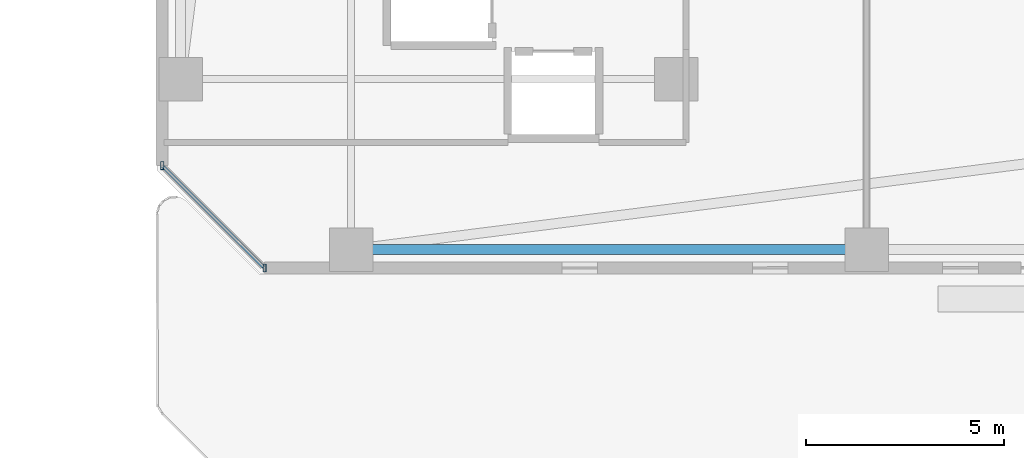
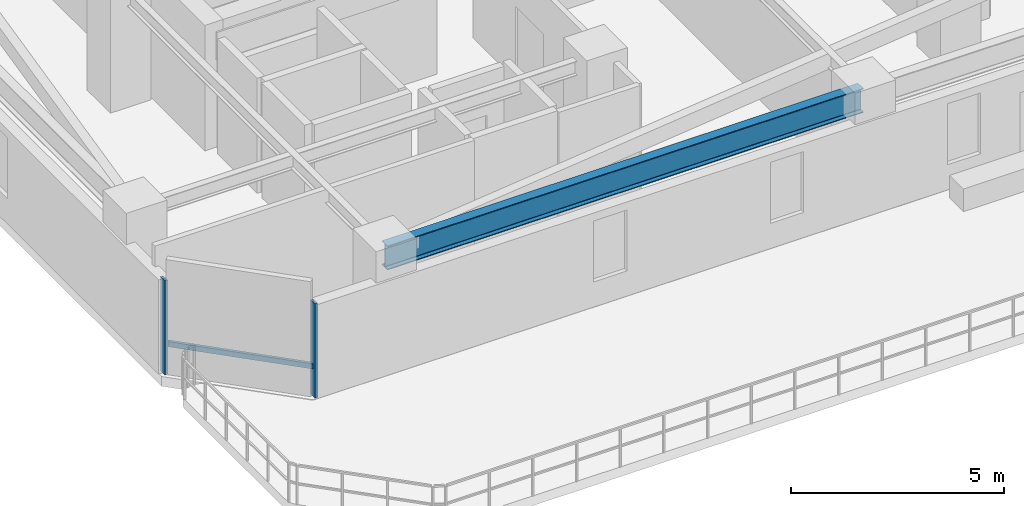
# One storey, part 10 of 30: 3 members, 1 beam, 1 element without a shape of its own.
"""IFC4 building model written with IfcOpenShell, lengths in metres."""

import ifcopenshell
import ifcopenshell.guid

model = None  # the IFC model being written
_history = None  # IfcOwnerHistory: only IFC2X3 demands one
_inside = {}  # id of a spatial element -> (the spatial element, [elements in it])
_under = {}  # id of a project, library or spatial element -> (it, [spatial elements below it])
_declared = {}  # id of a project -> (the project, [libraries it declares])
_typed = {}  # id of a type object -> (the type object, [elements of that type])
_made_of = {}  # id of a material, layer set ... -> (it, [elements and type objects made of it])


def new_model(schema):
    """Start an empty IFC model of exactly this schema.

    Asked for "IFC4X3", IfcOpenShell would pick the latest addendum, in which some entities
    have other attributes; the version numbers below select the first issue.
    IFC2X3 requires an IfcOwnerHistory on every rooted entity: one is made here for all.
    """
    global model, _history
    if schema == "IFC4X3":
        model = ifcopenshell.file(schema_version=(4, 3, 0, 0))
    else:
        model = ifcopenshell.file(schema=schema)
    _inside.clear()
    _under.clear()
    _declared.clear()
    _typed.clear()
    _made_of.clear()
    _history = None
    if model.schema == "IFC2X3":
        org = make("IfcOrganization", Name="unknown")
        user = make(
            "IfcPersonAndOrganization",
            ThePerson=make("IfcPerson", FamilyName="unknown"),
            TheOrganization=org,
        )
        app = make(
            "IfcApplication",
            ApplicationDeveloper=org,
            Version="unknown",
            ApplicationFullName="unknown",
            ApplicationIdentifier="unknown",
        )
        _history = make(
            "IfcOwnerHistory",
            OwningUser=user,
            OwningApplication=app,
            ChangeAction="ADDED",
            CreationDate=0,
        )
    return model


def make(cls, **values):
    """One entity of the class cls with the attributes given. An attribute that is None is left unset."""
    return model.create_entity(
        cls, **{name: value for name, value in values.items() if value is not None}
    )


def rooted(cls, **values):
    """An entity with a GlobalId (a new one), such as an element, a storey or a relation."""
    return make(cls, GlobalId=ifcopenshell.guid.new(), OwnerHistory=_history, **values)


def si_unit(unit_type, name, prefix=None):
    """IfcSIUnit, for example si_unit("LENGTHUNIT", "METRE", prefix="MILLI")."""
    return make("IfcSIUnit", UnitType=unit_type, Prefix=prefix, Name=name)


def assignment(units):
    """IfcUnitAssignment: the units of a project."""
    return None if units is None else make("IfcUnitAssignment", Units=units)


def point(xyz):
    """IfcCartesianPoint."""
    return None if xyz is None else make("IfcCartesianPoint", Coordinates=xyz)


def direction(xyz):
    """IfcDirection."""
    return None if xyz is None else make("IfcDirection", DirectionRatios=xyz)


def frame(location, z_axis=None, x_axis=None):
    """IfcAxis2Placement3D, a coordinate frame: its origin and axes. An axis left out is left unset."""
    return make(
        "IfcAxis2Placement3D",
        Location=point(location),
        Axis=direction(z_axis),
        RefDirection=direction(x_axis),
    )


def frame_2d(location, x_axis=None):
    """IfcAxis2Placement2D, a coordinate frame in the plane: its origin and x axis."""
    return make(
        "IfcAxis2Placement2D", Location=point(location), RefDirection=direction(x_axis)
    )


def origin():
    """The frame at (0, 0, 0) with its axes left unset."""
    return frame((0.0, 0.0, 0.0))


def origin_2d():
    """The frame at (0, 0) in the plane with its x axis left unset."""
    return frame_2d((0.0, 0.0))


def place(relative_to, where):
    """IfcLocalPlacement: puts the frame where relative to a parent placement (None: the world)."""
    return make(
        "IfcLocalPlacement", PlacementRelTo=relative_to, RelativePlacement=where
    )


def context(
    kind, dimensions, precision=None, world=None, true_north=None, identifier=None
):
    """IfcGeometricRepresentationContext, for example the 3D "Model" context."""
    return make(
        "IfcGeometricRepresentationContext",
        ContextIdentifier=identifier,
        ContextType=kind,
        CoordinateSpaceDimension=dimensions,
        Precision=precision,
        WorldCoordinateSystem=world,
        TrueNorth=true_north,
    )


def subcontext(parent, identifier, kind, view, scale=None):
    """IfcGeometricRepresentationSubContext, for example "Body" below "Model"."""
    return make(
        "IfcGeometricRepresentationSubContext",
        ContextIdentifier=identifier,
        ContextType=kind,
        ParentContext=parent,
        TargetScale=scale,
        TargetView=view,
    )


def project(units=None, contexts=None):
    """IfcProject with its units and contexts."""
    return rooted(
        "IfcProject",
        Name="project",
        RepresentationContexts=contexts,
        UnitsInContext=assignment(units),
    )


def spatial(cls, under=None, at=None, **own):
    """A site, building, storey or space (cls), placed at a placement, below another one or the project."""
    s = rooted(cls, ObjectPlacement=at, **own)
    if under is not None:
        _under.setdefault(under.id(), (under, []))[1].append(s)
    return s


def profile(cls, at=None, kind="AREA", **sizes):
    """A parametric profile (cls). Its sizes go by their IFC names, for example OverallWidth=200.0."""
    return make(cls, ProfileType=kind, Position=at, **sizes)


def hollow_rectangle(**sizes):
    """IfcRectangleHollowProfileDef."""
    return profile("IfcRectangleHollowProfileDef", **sizes)


def i_section(**sizes):
    """IfcIShapeProfileDef."""
    return profile("IfcIShapeProfileDef", **sizes)


def extrude(swept, where, along, depth):
    """IfcExtrudedAreaSolid: the profile swept, set in the frame where, extruded along a direction by depth."""
    return make(
        "IfcExtrudedAreaSolid",
        SweptArea=swept,
        Position=where,
        ExtrudedDirection=direction(along),
        Depth=depth,
    )


def shape(context_of_items, identifier, shape_type, items):
    """IfcShapeRepresentation: the items that make up one representation, for example the "Body"."""
    return make(
        "IfcShapeRepresentation",
        ContextOfItems=context_of_items,
        RepresentationIdentifier=identifier,
        RepresentationType=shape_type,
        Items=items,
    )


def material(Name=None, Category=None):
    """IfcMaterial."""
    return make("IfcMaterial", Name=Name, Category=Category)


def material_profile(
    of_material, cross_section, Name=None, Category=None, Priority=None
):
    """IfcMaterialProfile: a cross section and its material."""
    return make(
        "IfcMaterialProfile",
        Name=Name,
        Material=of_material,
        Profile=cross_section,
        Priority=Priority,
        Category=Category,
    )


def profile_set(profiles, Name=None, composite=None):
    """IfcMaterialProfileSet."""
    return make(
        "IfcMaterialProfileSet",
        Name=Name,
        MaterialProfiles=profiles,
        CompositeProfile=composite,
    )


def made_of(thing, what):
    """Note that an element or type object is made of a material, layer set ...; save() writes the relation."""
    if what is not None:
        _made_of.setdefault(what.id(), (what, []))[1].append(thing)
    return thing


def type_object(cls, material=None, **own):
    """A type object (cls), such as IfcWallType, which elements share."""
    return made_of(rooted(cls, **own), material)


def element(
    cls,
    number,
    at=None,
    inside=None,
    cuts=None,
    type_object=None,
    material=None,
    context=None,
    identifier="Body",
    shape_type=None,
    held_by="IfcProductDefinitionShape",
    body=None,
    shapes=None,
    **own,
):
    """One element of the class cls, such as IfcWall. Its Tag is "e" and its number.

    at: its placement. inside: the storey or other place that contains it. cuts: it is an
    opening in that element (IfcRelVoidsElement). A single representation is given by context,
    identifier, shape_type and body (its items); several are given by shapes. held_by: the class
    of the entity that holds the representations. save() writes the other relations.
    """
    e = rooted(cls, Tag="e%d" % number, ObjectPlacement=at, **own)
    if body is not None:
        shapes = [shape(context, identifier, shape_type, body)]
    if shapes is not None:
        e.Representation = make(held_by, Representations=shapes)
    if inside is not None:
        _inside.setdefault(inside.id(), (inside, []))[1].append(e)
    if cuts is not None:
        rooted(
            "IfcRelVoidsElement", RelatingBuildingElement=cuts, RelatedOpeningElement=e
        )
    if type_object is not None:
        _typed.setdefault(type_object.id(), (type_object, []))[1].append(e)
    return made_of(e, material)


def aggregate(whole, parts):
    """IfcRelAggregates: a whole, such as a stair, and the parts it consists of."""
    return rooted("IfcRelAggregates", RelatingObject=whole, RelatedObjects=parts)


def save(model, path):
    """Write the relations noted so far, then the file.

    IfcRelAggregates (storeys below a building ...), IfcRelContainedInSpatialStructure (elements
    in a storey), IfcRelDefinesByType, IfcRelAssociatesMaterial and IfcRelDeclares: one each for
    every whole, place, type object, material and project.
    """
    for whole, parts in _under.values():
        aggregate(whole, parts)
    for where, things in _inside.values():
        rooted(
            "IfcRelContainedInSpatialStructure",
            RelatedElements=things,
            RelatingStructure=where,
        )
    for kind, things in _typed.values():
        rooted("IfcRelDefinesByType", RelatedObjects=things, RelatingType=kind)
    for what, things in _made_of.values():
        rooted("IfcRelAssociatesMaterial", RelatedObjects=things, RelatingMaterial=what)
    for by, libraries in _declared.values():
        rooted("IfcRelDeclares", RelatingContext=by, RelatedDefinitions=libraries)
    model.write(path)


model = new_model("IFC4")

# Units and contexts
model_context = context("Model", 3, precision=1e-05, world=origin(), true_north=direction((0.0, 1.0)))
body_context = subcontext(model_context, "Body", "Model", "MODEL_VIEW")
ifc_project = project(units=[si_unit("LENGTHUNIT", "METRE"), si_unit("AREAUNIT", "SQUARE_METRE"), si_unit("VOLUMEUNIT", "CUBIC_METRE"), si_unit("PLANEANGLEUNIT", "RADIAN"), si_unit("MASSUNIT", "GRAM", prefix="KILO")], contexts=[model_context])

# Site, building, storey
site_placement = place(None, origin())
site = spatial("IfcSite", under=ifc_project, at=site_placement, CompositionType="ELEMENT")
building_placement = place(site_placement, origin())
building = spatial("IfcBuilding", under=site, at=building_placement, Name="Thornwick Lancets Civic Towers", CompositionType="ELEMENT")
storey_placement = place(building_placement, frame((0.0, 0.0, 149.10009765625)))
storey = spatial("IfcBuildingStorey", under=building, at=storey_placement, Name="L39", CompositionType="ELEMENT", Elevation=149.10009765625)

# Beam
ifc_material_1 = material(Name="Steel S355JR", Category="steel")
ifc_material_profile_1 = material_profile(ifc_material_1, i_section(OverallWidth=0.255859375, OverallDepth=0.69287109375, WebThickness=0.014404296875, FlangeThickness=0.023681640625, FilletRadius=0.01513671875, at=origin_2d()), Name="UKB 686x254x170")
ifc_profile_set_1 = profile_set([ifc_material_profile_1], Name="Steel S355JR")
beam_type = type_object("IfcBeamType", Name="BM_GIRD_686_170", PredefinedType="BEAM", material=ifc_profile_set_1)
beam_placement = place(storey_placement, frame((88.419921875, 9.699951171875, 2.973388671875), z_axis=(-1.0, 0.0, 0.0), x_axis=(0.0, -1.0, 0.0)))
element("IfcBeam", 1, at=beam_placement, inside=storey, type_object=beam_type, Name="BM-SPINE-L39-B-10-11", PredefinedType="BEAM", context=body_context, shape_type="SweptSolid", body=[
    extrude(i_section(OverallWidth=0.255859375, OverallDepth=0.69287109375, WebThickness=0.014404296875, FlangeThickness=0.023681640625, FilletRadius=0.01513671875, at=origin_2d()), origin(), (0.0, 0.0, 1.0), 12.919921875),
])

# Curtain wall, members
ifc_material_2 = material(Name="Mid-zone chamfered-corner unitised glass curtain wall", Category="glass")
curtain_wall_type = type_object("IfcCurtainWallType", Name="CW_SYS_04", PredefinedType="NOTDEFINED", material=ifc_material_2)
curtain_wall_placement = place(storey_placement, origin())
curtain_wall = element("IfcCurtainWall", 2, at=curtain_wall_placement, inside=storey, type_object=curtain_wall_type, Name="L39 Curtain Wall CW-L39-B-E7", PredefinedType="NOTDEFINED")
ifc_material_3 = material(Name="Thermally broken bronze aluminium S355", Category="steel")
ifc_material_profile_2 = material_profile(ifc_material_3, hollow_rectangle(XDim=0.080078125, YDim=0.199951171875, WallThickness=0.006103515625, at=origin_2d()), Name="RHS 200x80x6")
ifc_profile_set_2 = profile_set([ifc_material_profile_2], Name="Thermally broken bronze aluminium S355")
member_type_1 = type_object("IfcMemberType", Name="CW_MUL_200", PredefinedType="MULLION", material=ifc_profile_set_2)
member_1_placement = place(storey_placement, frame((70.7353515625, 11.818603515625, 0.0), z_axis=(0.0, 0.0, 1.0), x_axis=(1.0, 0.0, 0.0)))
member_1 = element("IfcMember", 3, at=member_1_placement, type_object=member_type_1, Name="CW-L39-B-E7 Mullion 0", PredefinedType="MULLION", context=body_context, shape_type="SweptSolid", body=[
    extrude(hollow_rectangle(XDim=0.080078125, YDim=0.199951171875, WallThickness=0.006103515625, at=origin_2d()), origin(), (0.0, 0.0, 1.0), 2.699951171875),
])
member_2_placement = place(storey_placement, frame((73.318603515625, 9.2353515625, 0.0), z_axis=(0.0, 0.0, 1.0), x_axis=(1.0, 0.0, 0.0)))
member_2 = element("IfcMember", 4, at=member_2_placement, type_object=member_type_1, Name="CW-L39-B-E7 Mullion 1", PredefinedType="MULLION", context=body_context, shape_type="SweptSolid", body=[
    extrude(hollow_rectangle(XDim=0.080078125, YDim=0.199951171875, WallThickness=0.006103515625, at=origin_2d()), origin(), (0.0, 0.0, 1.0), 2.699951171875),
])
ifc_material_profile_3 = material_profile(ifc_material_3, hollow_rectangle(XDim=0.074951171875, YDim=0.14990234375, WallThickness=0.0048828125, at=origin_2d()), Name="RHS 150x75x5")
ifc_profile_set_3 = profile_set([ifc_material_profile_3], Name="Thermally broken bronze aluminium S355")
member_type_2 = type_object("IfcMemberType", Name="CW_TRN_150", PredefinedType="USERDEFINED", material=ifc_profile_set_3)
member_3_placement = place(storey_placement, frame((70.74951171875, 11.804443359375, 0.849853515625), z_axis=(0.707106781187, -0.707106781187, 0.0), x_axis=(0.707106781187, 0.707106781187, 0.0)))
member_3 = element("IfcMember", 5, at=member_3_placement, type_object=member_type_2, Name="CW-L39-B-E7 Transom 0", ObjectType="TRANSOM", PredefinedType="USERDEFINED", context=body_context, shape_type="SweptSolid", body=[
    extrude(hollow_rectangle(XDim=0.074951171875, YDim=0.14990234375, WallThickness=0.0048828125, at=origin_2d()), origin(), (0.0, 0.0, 1.0), 3.61328125),
])
aggregate(curtain_wall, [member_1, member_2, member_3])

save(model, "model.ifc")
